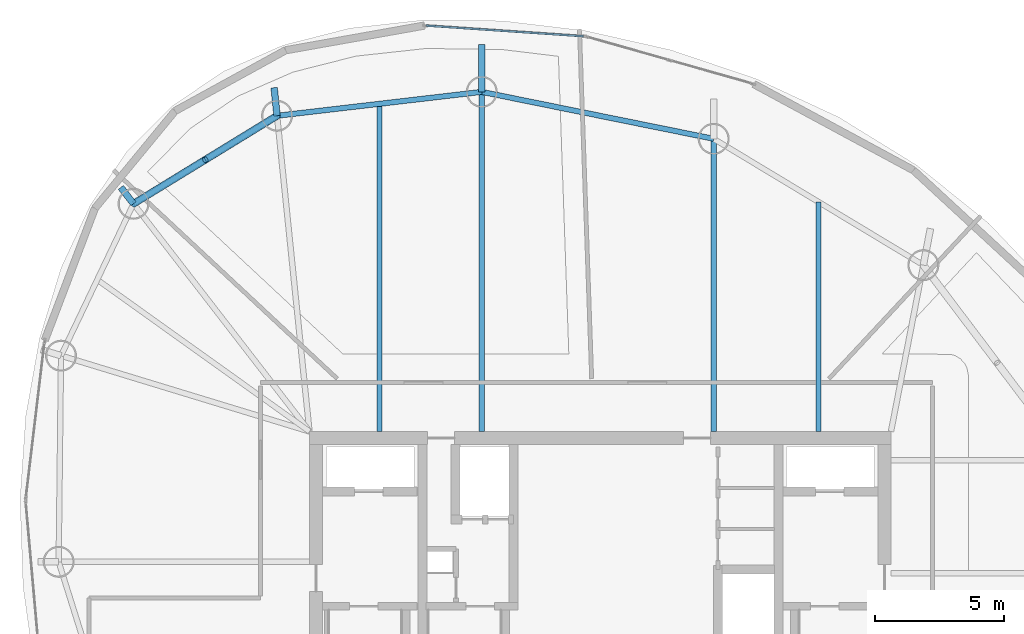
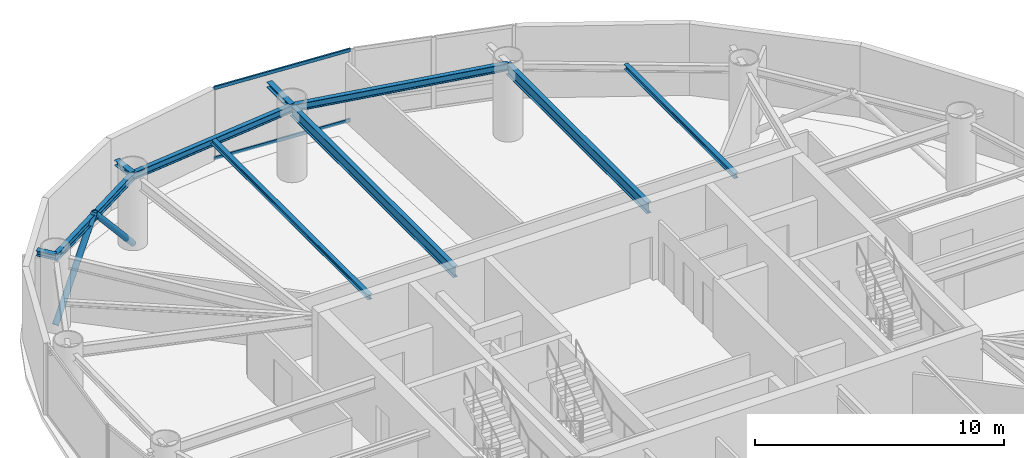
# One storey, part 9 of 18: 10 beams, 4 members, 1 element without a shape of its own.
"""IFC4 building model written with IfcOpenShell, lengths in metres."""

import ifcopenshell
import ifcopenshell.guid

model = None  # the IFC model being written
_history = None  # IfcOwnerHistory: only IFC2X3 demands one
_inside = {}  # id of a spatial element -> (the spatial element, [elements in it])
_under = {}  # id of a project, library or spatial element -> (it, [spatial elements below it])
_declared = {}  # id of a project -> (the project, [libraries it declares])
_typed = {}  # id of a type object -> (the type object, [elements of that type])
_made_of = {}  # id of a material, layer set ... -> (it, [elements and type objects made of it])


def new_model(schema):
    """Start an empty IFC model of exactly this schema.

    Asked for "IFC4X3", IfcOpenShell would pick the latest addendum, in which some entities
    have other attributes; the version numbers below select the first issue.
    IFC2X3 requires an IfcOwnerHistory on every rooted entity: one is made here for all.
    """
    global model, _history
    if schema == "IFC4X3":
        model = ifcopenshell.file(schema_version=(4, 3, 0, 0))
    else:
        model = ifcopenshell.file(schema=schema)
    _inside.clear()
    _under.clear()
    _declared.clear()
    _typed.clear()
    _made_of.clear()
    _history = None
    if model.schema == "IFC2X3":
        org = make("IfcOrganization", Name="unknown")
        user = make(
            "IfcPersonAndOrganization",
            ThePerson=make("IfcPerson", FamilyName="unknown"),
            TheOrganization=org,
        )
        app = make(
            "IfcApplication",
            ApplicationDeveloper=org,
            Version="unknown",
            ApplicationFullName="unknown",
            ApplicationIdentifier="unknown",
        )
        _history = make(
            "IfcOwnerHistory",
            OwningUser=user,
            OwningApplication=app,
            ChangeAction="ADDED",
            CreationDate=0,
        )
    return model


def make(cls, **values):
    """One entity of the class cls with the attributes given. An attribute that is None is left unset."""
    return model.create_entity(
        cls, **{name: value for name, value in values.items() if value is not None}
    )


def rooted(cls, **values):
    """An entity with a GlobalId (a new one), such as an element, a storey or a relation."""
    return make(cls, GlobalId=ifcopenshell.guid.new(), OwnerHistory=_history, **values)


def si_unit(unit_type, name, prefix=None):
    """IfcSIUnit, for example si_unit("LENGTHUNIT", "METRE", prefix="MILLI")."""
    return make("IfcSIUnit", UnitType=unit_type, Prefix=prefix, Name=name)


def assignment(units):
    """IfcUnitAssignment: the units of a project."""
    return None if units is None else make("IfcUnitAssignment", Units=units)


def point(xyz):
    """IfcCartesianPoint."""
    return None if xyz is None else make("IfcCartesianPoint", Coordinates=xyz)


def direction(xyz):
    """IfcDirection."""
    return None if xyz is None else make("IfcDirection", DirectionRatios=xyz)


def frame(location, z_axis=None, x_axis=None):
    """IfcAxis2Placement3D, a coordinate frame: its origin and axes. An axis left out is left unset."""
    return make(
        "IfcAxis2Placement3D",
        Location=point(location),
        Axis=direction(z_axis),
        RefDirection=direction(x_axis),
    )


def frame_2d(location, x_axis=None):
    """IfcAxis2Placement2D, a coordinate frame in the plane: its origin and x axis."""
    return make(
        "IfcAxis2Placement2D", Location=point(location), RefDirection=direction(x_axis)
    )


def origin():
    """The frame at (0, 0, 0) with its axes left unset."""
    return frame((0.0, 0.0, 0.0))


def origin_2d():
    """The frame at (0, 0) in the plane with its x axis left unset."""
    return frame_2d((0.0, 0.0))


def place(relative_to, where):
    """IfcLocalPlacement: puts the frame where relative to a parent placement (None: the world)."""
    return make(
        "IfcLocalPlacement", PlacementRelTo=relative_to, RelativePlacement=where
    )


def context(
    kind, dimensions, precision=None, world=None, true_north=None, identifier=None
):
    """IfcGeometricRepresentationContext, for example the 3D "Model" context."""
    return make(
        "IfcGeometricRepresentationContext",
        ContextIdentifier=identifier,
        ContextType=kind,
        CoordinateSpaceDimension=dimensions,
        Precision=precision,
        WorldCoordinateSystem=world,
        TrueNorth=true_north,
    )


def subcontext(parent, identifier, kind, view, scale=None):
    """IfcGeometricRepresentationSubContext, for example "Body" below "Model"."""
    return make(
        "IfcGeometricRepresentationSubContext",
        ContextIdentifier=identifier,
        ContextType=kind,
        ParentContext=parent,
        TargetScale=scale,
        TargetView=view,
    )


def project(units=None, contexts=None):
    """IfcProject with its units and contexts."""
    return rooted(
        "IfcProject",
        Name="project",
        RepresentationContexts=contexts,
        UnitsInContext=assignment(units),
    )


def spatial(cls, under=None, at=None, **own):
    """A site, building, storey or space (cls), placed at a placement, below another one or the project."""
    s = rooted(cls, ObjectPlacement=at, **own)
    if under is not None:
        _under.setdefault(under.id(), (under, []))[1].append(s)
    return s


def profile(cls, at=None, kind="AREA", **sizes):
    """A parametric profile (cls). Its sizes go by their IFC names, for example OverallWidth=200.0."""
    return make(cls, ProfileType=kind, Position=at, **sizes)


def hollow_rectangle(**sizes):
    """IfcRectangleHollowProfileDef."""
    return profile("IfcRectangleHollowProfileDef", **sizes)


def hollow_circle(**sizes):
    """IfcCircleHollowProfileDef."""
    return profile("IfcCircleHollowProfileDef", **sizes)


def i_section(**sizes):
    """IfcIShapeProfileDef."""
    return profile("IfcIShapeProfileDef", **sizes)


def extrude(swept, where, along, depth):
    """IfcExtrudedAreaSolid: the profile swept, set in the frame where, extruded along a direction by depth."""
    return make(
        "IfcExtrudedAreaSolid",
        SweptArea=swept,
        Position=where,
        ExtrudedDirection=direction(along),
        Depth=depth,
    )


def shape(context_of_items, identifier, shape_type, items):
    """IfcShapeRepresentation: the items that make up one representation, for example the "Body"."""
    return make(
        "IfcShapeRepresentation",
        ContextOfItems=context_of_items,
        RepresentationIdentifier=identifier,
        RepresentationType=shape_type,
        Items=items,
    )


def material(Name=None, Category=None):
    """IfcMaterial."""
    return make("IfcMaterial", Name=Name, Category=Category)


def layer(
    of_material, thickness, ventilated=None, Name=None, Category=None, Priority=None
):
    """IfcMaterialLayer: one layer of a wall or slab, of a material (None: an air gap)."""
    return make(
        "IfcMaterialLayer",
        Material=of_material,
        LayerThickness=thickness,
        IsVentilated=ventilated,
        Name=Name,
        Category=Category,
        Priority=Priority,
    )


def layer_set(layers, Name=None):
    """IfcMaterialLayerSet."""
    return make("IfcMaterialLayerSet", MaterialLayers=layers, LayerSetName=Name)


def material_profile(
    of_material, cross_section, Name=None, Category=None, Priority=None
):
    """IfcMaterialProfile: a cross section and its material."""
    return make(
        "IfcMaterialProfile",
        Name=Name,
        Material=of_material,
        Profile=cross_section,
        Priority=Priority,
        Category=Category,
    )


def profile_set(profiles, Name=None, composite=None):
    """IfcMaterialProfileSet."""
    return make(
        "IfcMaterialProfileSet",
        Name=Name,
        MaterialProfiles=profiles,
        CompositeProfile=composite,
    )


def made_of(thing, what):
    """Note that an element or type object is made of a material, layer set ...; save() writes the relation."""
    if what is not None:
        _made_of.setdefault(what.id(), (what, []))[1].append(thing)
    return thing


def type_object(cls, material=None, **own):
    """A type object (cls), such as IfcWallType, which elements share."""
    return made_of(rooted(cls, **own), material)


def element(
    cls,
    number,
    at=None,
    inside=None,
    cuts=None,
    type_object=None,
    material=None,
    context=None,
    identifier="Body",
    shape_type=None,
    held_by="IfcProductDefinitionShape",
    body=None,
    shapes=None,
    **own,
):
    """One element of the class cls, such as IfcWall. Its Tag is "e" and its number.

    at: its placement. inside: the storey or other place that contains it. cuts: it is an
    opening in that element (IfcRelVoidsElement). A single representation is given by context,
    identifier, shape_type and body (its items); several are given by shapes. held_by: the class
    of the entity that holds the representations. save() writes the other relations.
    """
    e = rooted(cls, Tag="e%d" % number, ObjectPlacement=at, **own)
    if body is not None:
        shapes = [shape(context, identifier, shape_type, body)]
    if shapes is not None:
        e.Representation = make(held_by, Representations=shapes)
    if inside is not None:
        _inside.setdefault(inside.id(), (inside, []))[1].append(e)
    if cuts is not None:
        rooted(
            "IfcRelVoidsElement", RelatingBuildingElement=cuts, RelatedOpeningElement=e
        )
    if type_object is not None:
        _typed.setdefault(type_object.id(), (type_object, []))[1].append(e)
    return made_of(e, material)


def aggregate(whole, parts):
    """IfcRelAggregates: a whole, such as a stair, and the parts it consists of."""
    return rooted("IfcRelAggregates", RelatingObject=whole, RelatedObjects=parts)


def save(model, path):
    """Write the relations noted so far, then the file.

    IfcRelAggregates (storeys below a building ...), IfcRelContainedInSpatialStructure (elements
    in a storey), IfcRelDefinesByType, IfcRelAssociatesMaterial and IfcRelDeclares: one each for
    every whole, place, type object, material and project.
    """
    for whole, parts in _under.values():
        aggregate(whole, parts)
    for where, things in _inside.values():
        rooted(
            "IfcRelContainedInSpatialStructure",
            RelatedElements=things,
            RelatingStructure=where,
        )
    for kind, things in _typed.values():
        rooted("IfcRelDefinesByType", RelatedObjects=things, RelatingType=kind)
    for what, things in _made_of.values():
        rooted("IfcRelAssociatesMaterial", RelatedObjects=things, RelatingMaterial=what)
    for by, libraries in _declared.values():
        rooted("IfcRelDeclares", RelatingContext=by, RelatedDefinitions=libraries)
    model.write(path)


model = new_model("IFC4")

# Units and contexts
model_context = context("Model", 3, precision=1e-05, world=origin(), true_north=direction((0.0, 1.0)))
body_context = subcontext(model_context, "Body", "Model", "MODEL_VIEW")
ifc_project = project(units=[si_unit("LENGTHUNIT", "METRE"), si_unit("AREAUNIT", "SQUARE_METRE"), si_unit("VOLUMEUNIT", "CUBIC_METRE"), si_unit("PLANEANGLEUNIT", "RADIAN"), si_unit("MASSUNIT", "GRAM", prefix="KILO")], contexts=[model_context])

# Site, building, storey
site_placement = place(None, origin())
site = spatial("IfcSite", under=ifc_project, at=site_placement, CompositionType="ELEMENT")
building_placement = place(site_placement, origin())
building = spatial("IfcBuilding", under=site, at=building_placement, Name="Bramvorn Convention Spire", CompositionType="ELEMENT")
storey_placement = place(building_placement, frame((0.0, 0.0, 232.800048828125)))
storey = spatial("IfcBuildingStorey", under=building, at=storey_placement, Name="L59", CompositionType="ELEMENT", Elevation=232.800048828125)

# Beams
ifc_material_1 = material(Name="Steel CSA G40.21 Grade 350 (350W)", Category="steel")
ifc_material_profile_1 = material_profile(ifc_material_1, i_section(OverallWidth=0.201904296875, OverallDepth=0.2470703125, WebThickness=0.00732421875, FlangeThickness=0.010986328125, FilletRadius=0.011962890625, at=origin_2d()))
ifc_profile_set_1 = profile_set([ifc_material_profile_1], Name="Steel CSA G40.21 Grade 350 (350W) - W250X49")
beam_type_1 = type_object("IfcBeamType", Name="BM-W250X49", PredefinedType="JOIST", material=ifc_profile_set_1)
beam_1_placement = place(storey_placement, frame((46.445556640625, 33.449951171875, 3.37646484375), z_axis=(0.0, 1.0, 0.0), x_axis=(-1.0, 0.0, 0.0)))
element("IfcBeam", 1, at=beam_1_placement, inside=storey, type_object=beam_type_1, Name="L59 composite floor joist 05", PredefinedType="JOIST", context=body_context, shape_type="SweptSolid", body=[
    extrude(i_section(OverallWidth=0.201904296875, OverallDepth=0.2470703125, WebThickness=0.00732421875, FlangeThickness=0.010986328125, FilletRadius=0.011962890625, at=origin_2d()), origin(), (0.0, 0.0, 1.0), 8.878662109375),
])
beam_2_placement = place(storey_placement, frame((29.455810546875, 33.449951171875, 3.37646484375), z_axis=(0.0, 1.0, 0.0), x_axis=(-1.0, 0.0, 0.0)))
element("IfcBeam", 2, at=beam_2_placement, inside=storey, type_object=beam_type_1, Name="L59 composite floor joist 07", PredefinedType="JOIST", context=body_context, shape_type="SweptSolid", body=[
    extrude(i_section(OverallWidth=0.201904296875, OverallDepth=0.2470703125, WebThickness=0.00732421875, FlangeThickness=0.010986328125, FilletRadius=0.011962890625, at=origin_2d()), origin(), (0.0, 0.0, 1.0), 12.676025390625),
])
ifc_material_profile_2 = material_profile(ifc_material_1, i_section(OverallWidth=0.25390625, OverallDepth=0.2529296875, WebThickness=0.008544921875, FlangeThickness=0.01416015625, FilletRadius=0.011962890625, at=origin_2d()))
ifc_profile_set_2 = profile_set([ifc_material_profile_2], Name="Steel CSA G40.21 Grade 350 (350W) - W250X73")
beam_type_2 = type_object("IfcBeamType", Name="BM-W250X73", PredefinedType="BEAM", material=ifc_profile_set_2)
beam_3_placement = place(storey_placement, frame((33.416259765625, 46.58837890625, 3.37353515625), z_axis=(0.0, 1.0, 0.0), x_axis=(-1.0, 0.0, 0.0)))
element("IfcBeam", 3, at=beam_3_placement, inside=storey, type_object=beam_type_2, Name="L59 slab-edge cantilever tip beam MC07", PredefinedType="BEAM", context=body_context, shape_type="SweptSolid", body=[
    extrude(i_section(OverallWidth=0.25390625, OverallDepth=0.2529296875, WebThickness=0.008544921875, FlangeThickness=0.01416015625, FilletRadius=0.011962890625, at=origin_2d()), origin(), (0.0, 0.0, 1.0), 1.823974609375),
])
beam_4_placement = place(storey_placement, frame((25.49560546875, 45.663818359375, 3.37353515625), z_axis=(-0.102244115102, 0.994759338195, 0.0), x_axis=(-0.994759338195, -0.102244115102, 0.0)))
element("IfcBeam", 4, at=beam_4_placement, inside=storey, type_object=beam_type_2, Name="L59 slab-edge cantilever tip beam MC08", PredefinedType="BEAM", context=body_context, shape_type="SweptSolid", body=[
    extrude(i_section(OverallWidth=0.25390625, OverallDepth=0.2529296875, WebThickness=0.008544921875, FlangeThickness=0.01416015625, FilletRadius=0.011962890625, at=origin_2d()), origin(), (0.0, 0.0, 1.0), 1.093505859375),
])
beam_5_placement = place(storey_placement, frame((19.941650390625, 42.260009765625, 3.37353515625), z_axis=(-0.611655959625, 0.791123875923, 0.0), x_axis=(-0.791123875923, -0.611655959625, 0.0)))
element("IfcBeam", 5, at=beam_5_placement, inside=storey, type_object=beam_type_2, Name="L59 slab-edge cantilever tip beam MC09", PredefinedType="BEAM", context=body_context, shape_type="SweptSolid", body=[
    extrude(i_section(OverallWidth=0.25390625, OverallDepth=0.2529296875, WebThickness=0.008544921875, FlangeThickness=0.01416015625, FilletRadius=0.011962890625, at=origin_2d()), origin(), (0.0, 0.0, 1.0), 0.7998046875),
])
ifc_material_profile_3 = material_profile(ifc_material_1, i_section(OverallWidth=0.205078125, OverallDepth=0.35400390625, WebThickness=0.009521484375, FlangeThickness=0.016845703125, FilletRadius=0.014892578125, at=origin_2d()))
ifc_profile_set_3 = profile_set([ifc_material_profile_3], Name="Steel CSA G40.21 Grade 350 (350W) - W360X79")
beam_type_3 = type_object("IfcBeamType", Name="BM-W360X79", PredefinedType="JOIST", material=ifc_profile_set_3)
beam_6_placement = place(storey_placement, frame((42.38916015625, 44.772216796875, 3.322998046875), z_axis=(-0.980124701676, 0.198382381187, 0.0), x_axis=(-0.198382381187, -0.980124701676, 0.0)))
element("IfcBeam", 6, at=beam_6_placement, inside=storey, type_object=beam_type_3, Name="L59 mega-column ring beam 06", PredefinedType="JOIST", context=body_context, shape_type="SweptSolid", body=[
    extrude(i_section(OverallWidth=0.205078125, OverallDepth=0.35400390625, WebThickness=0.009521484375, FlangeThickness=0.016845703125, FilletRadius=0.014892578125, at=origin_2d()), origin(), (0.0, 0.0, 1.0), 9.15478515625),
])
beam_7_placement = place(storey_placement, frame((33.416259765625, 46.58837890625, 3.322998046875), z_axis=(-0.993256148339, -0.115940604561, 0.0), x_axis=(0.115940604561, -0.993256148339, 0.0)))
element("IfcBeam", 7, at=beam_7_placement, inside=storey, type_object=beam_type_3, Name="L59 mega-column ring beam 07", PredefinedType="JOIST", context=body_context, shape_type="SweptSolid", body=[
    extrude(i_section(OverallWidth=0.205078125, OverallDepth=0.35400390625, WebThickness=0.009521484375, FlangeThickness=0.016845703125, FilletRadius=0.014892578125, at=origin_2d()), origin(), (0.0, 0.0, 1.0), 7.974365234375),
])
beam_8_placement = place(storey_placement, frame((25.49560546875, 45.663818359375, 3.322998046875), z_axis=(-0.852616873135, -0.522536570629, 0.0), x_axis=(0.522536570629, -0.852616873135, 0.0)))
element("IfcBeam", 8, at=beam_8_placement, inside=storey, type_object=beam_type_3, Name="L59 mega-column ring beam 08", PredefinedType="JOIST", context=body_context, shape_type="SweptSolid", body=[
    extrude(i_section(OverallWidth=0.205078125, OverallDepth=0.35400390625, WebThickness=0.009521484375, FlangeThickness=0.016845703125, FilletRadius=0.014892578125, at=origin_2d()), origin(), (0.0, 0.0, 1.0), 6.513916015625),
])
ifc_material_profile_4 = material_profile(ifc_material_1, i_section(OverallWidth=0.2119140625, OverallDepth=0.5439453125, WebThickness=0.01318359375, FlangeThickness=0.021240234375, FilletRadius=0.01904296875, at=origin_2d()))
ifc_profile_set_4 = profile_set([ifc_material_profile_4], Name="Steel CSA G40.21 Grade 350 (350W) - W530X123")
beam_type_4 = type_object("IfcBeamType", Name="BM-W530X123", PredefinedType="BEAM", material=ifc_profile_set_4)
beam_9_placement = place(storey_placement, frame((42.38916015625, 33.449951171875, 3.22802734375), z_axis=(0.0, 1.0, 0.0), x_axis=(-1.0, 0.0, 0.0)))
element("IfcBeam", 9, at=beam_9_placement, inside=storey, type_object=beam_type_4, Name="L59 radial floor girder MC06", PredefinedType="BEAM", context=body_context, shape_type="SweptSolid", body=[
    extrude(i_section(OverallWidth=0.2119140625, OverallDepth=0.5439453125, WebThickness=0.01318359375, FlangeThickness=0.021240234375, FilletRadius=0.01904296875, at=origin_2d()), origin(), (0.0, 0.0, 1.0), 11.322265625),
])
beam_10_placement = place(storey_placement, frame((33.416259765625, 33.449951171875, 3.22802734375), z_axis=(0.0, 1.0, 0.0), x_axis=(-1.0, 0.0, 0.0)))
element("IfcBeam", 10, at=beam_10_placement, inside=storey, type_object=beam_type_4, Name="L59 radial floor girder MC07", PredefinedType="BEAM", context=body_context, shape_type="SweptSolid", body=[
    extrude(i_section(OverallWidth=0.2119140625, OverallDepth=0.5439453125, WebThickness=0.01318359375, FlangeThickness=0.021240234375, FilletRadius=0.01904296875, at=origin_2d()), origin(), (0.0, 0.0, 1.0), 13.138427734375),
])

# Curtain wall, members
ifc_material_2 = material(Name="Anodised Bronze Unitised Curtain Wall", Category="aluminium")
ifc_layer = layer(ifc_material_2, 0.179931640625)
ifc_layer_set = layer_set([ifc_layer], Name="Anodised Bronze Unitised Curtain Wall - CW-OFF-FRIT")
curtain_wall_type = type_object("IfcCurtainWallType", Name="CW-OFF-FRIT", PredefinedType="USERDEFINED", material=ifc_layer_set)
curtain_wall_placement = place(storey_placement, origin())
curtain_wall = element("IfcCurtainWall", 11, at=curtain_wall_placement, inside=storey, type_object=curtain_wall_type, Name="L59 fritted glass curtain wall 10", ObjectType="UNITISED CURTAIN WALL", PredefinedType="USERDEFINED")
ifc_material_3 = material(Name="Anodised Bronze Aluminium 6063-T6", Category="aluminium")
ifc_material_profile_5 = material_profile(ifc_material_3, hollow_rectangle(XDim=0.080078125, YDim=0.159912109375, WallThickness=0.00390625, InnerFilletRadius=0.0009765625, OuterFilletRadius=0.00390625, at=origin_2d()))
ifc_profile_set_5 = profile_set([ifc_material_profile_5], Name="Anodised Bronze Aluminium 6063-T6 - CWT80X160")
member_type_1 = type_object("IfcMemberType", Name="CW-TRN-150", PredefinedType="USERDEFINED", material=ifc_profile_set_5)
member_1_placement = place(storey_placement, frame((31.263427734375, 49.1513671875, 0.030029296875), z_axis=(0.997717424209, -0.067527338389, 0.0), x_axis=(0.067527338389, 0.997717424209, 0.0)))
member_1 = element("IfcMember", 12, at=member_1_placement, type_object=member_type_1, Name="CW3 transom 1.1", ObjectType="TRANSOM", PredefinedType="USERDEFINED", context=body_context, shape_type="SweptSolid", body=[
    extrude(hollow_rectangle(XDim=0.080078125, YDim=0.159912109375, WallThickness=0.00390625, InnerFilletRadius=0.0009765625, OuterFilletRadius=0.00390625, at=origin_2d()), origin(), (0.0, 0.0, 1.0), 6.1064453125),
])
member_2_placement = place(storey_placement, frame((31.263427734375, 49.1513671875, 3.469970703125), z_axis=(0.997717424209, -0.067527338389, 0.0), x_axis=(0.067527338389, 0.997717424209, 0.0)))
member_2 = element("IfcMember", 13, at=member_2_placement, type_object=member_type_1, Name="CW3 transom 1.2", ObjectType="TRANSOM", PredefinedType="USERDEFINED", context=body_context, shape_type="SweptSolid", body=[
    extrude(hollow_rectangle(XDim=0.080078125, YDim=0.159912109375, WallThickness=0.00390625, InnerFilletRadius=0.0009765625, OuterFilletRadius=0.00390625, at=origin_2d()), origin(), (0.0, 0.0, 1.0), 6.1064453125),
])
aggregate(curtain_wall, [member_1, member_2])

# Members
ifc_material_profile_6 = material_profile(ifc_material_1, hollow_circle(Radius=0.136474609375, WallThickness=0.0126953125, at=origin_2d()))
ifc_profile_set_6 = profile_set([ifc_material_profile_6], Name="Steel CSA G40.21 Grade 350 (350W) - CHS273X13")
member_type_2 = type_object("IfcMemberType", Name="MBR-CHS273X13", PredefinedType="BRACE", material=ifc_profile_set_6)
for number, where, z_axis, x_axis, name in (
    (14, (25.49560546875, 45.663818359375, 0.0), (-0.580851504909, -0.355966227756, 0.732051619725), (0.522519873149, -0.852627106163, 0.0), "L59 perimeter Gothic lancet brace 8A"),
    (15, (19.941650390625, 42.260009765625, 0.0), (0.580817667896, 0.355976785906, 0.732073332772), (-0.522553268977, 0.852606639126, 0.0), "L59 perimeter Gothic lancet brace 8B"),
):
    element("IfcMember", number, at=place(storey_placement, frame(where, z_axis=z_axis, x_axis=x_axis)), inside=storey, type_object=member_type_2, Name=name, PredefinedType="BRACE", context=body_context, shape_type="SweptSolid", body=[
        extrude(hollow_circle(Radius=0.136474609375, WallThickness=0.0126953125, at=origin_2d()), origin(), (0.0, 0.0, 1.0), 4.781005859375),
    ])

save(model, "model.ifc")
